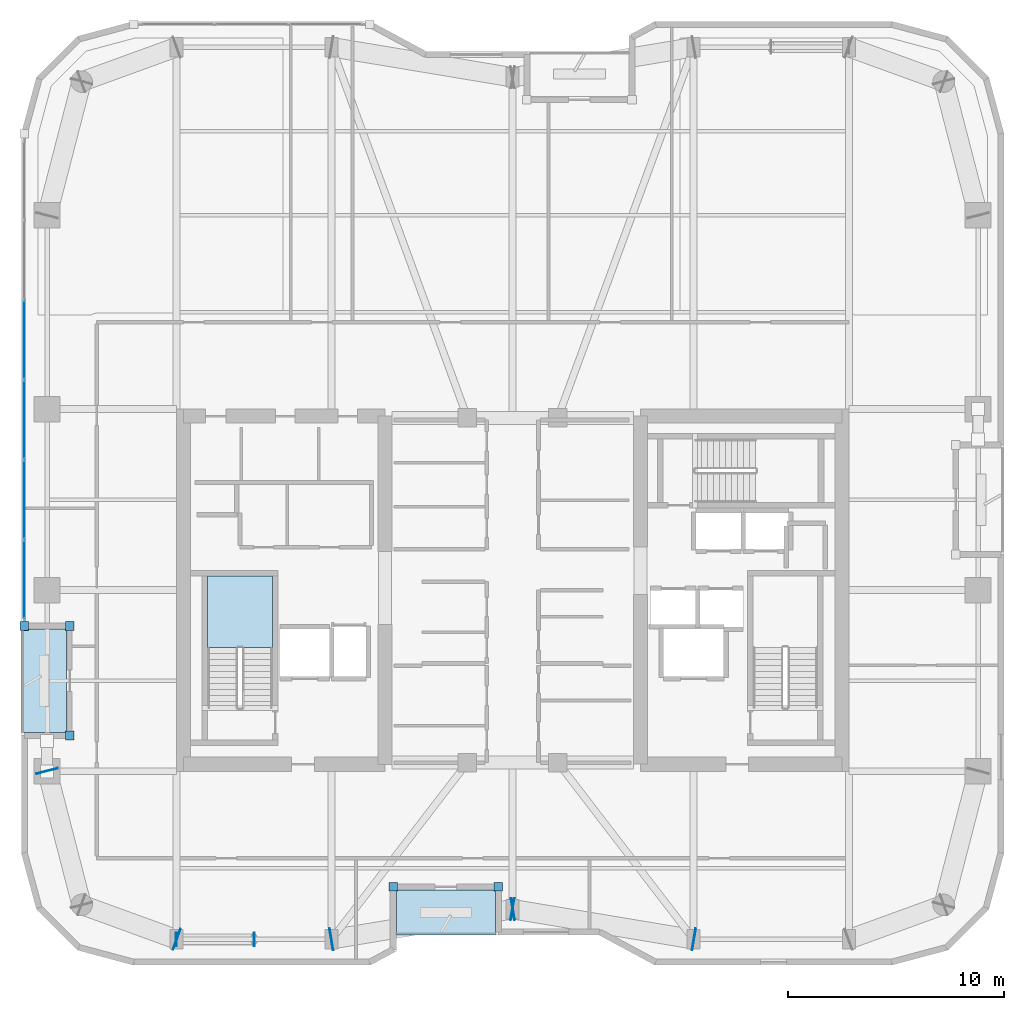
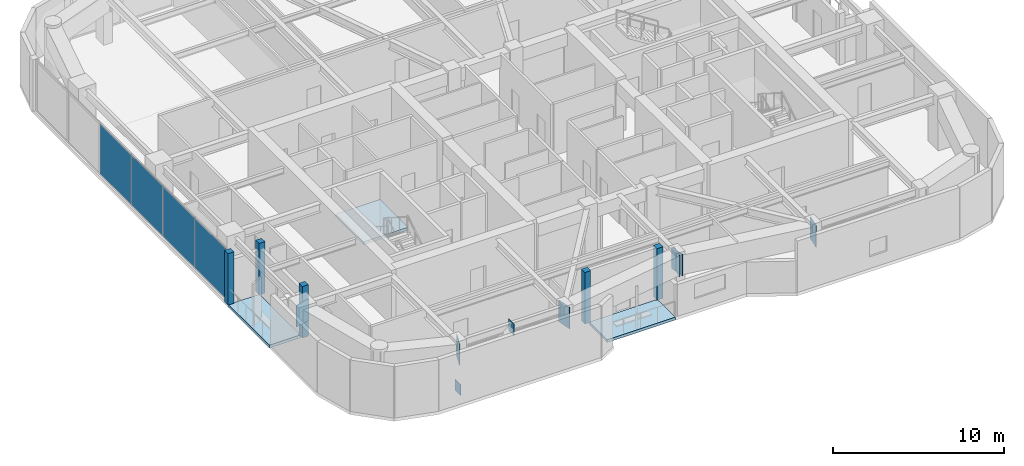
# One storey, part 12 of 21: 17 plates, 3 slabs, 2 elements without a shape of their own.
"""IFC4 building model written with IfcOpenShell, lengths in metres."""

from ifc_helpers import new_model, si_unit, direction, frame, origin, origin_2d, place, context, subcontext, project, spatial, polyline, rectangle, outline, extrude, material, layer, layer_set, type_object, element, aggregate, save


model = new_model("IFC4")

# Units and contexts
model_context = context("Model", 3, precision=1e-05, world=origin(), true_north=direction((0.0, 1.0)))
body_context = subcontext(model_context, "Body", "Model", "MODEL_VIEW")
ifc_project = project(units=[si_unit("LENGTHUNIT", "METRE"), si_unit("AREAUNIT", "SQUARE_METRE"), si_unit("VOLUMEUNIT", "CUBIC_METRE"), si_unit("PLANEANGLEUNIT", "RADIAN"), si_unit("MASSUNIT", "GRAM", prefix="KILO")], contexts=[model_context])

# Site, building, storey
site_placement = place(None, origin())
site = spatial("IfcSite", under=ifc_project, at=site_placement, CompositionType="ELEMENT")
building_placement = place(site_placement, origin())
building = spatial("IfcBuilding", under=site, at=building_placement, Name="Kiyonajd Concourse Tower", CompositionType="ELEMENT")
storey_placement = place(building_placement, frame((0.0, 0.0, 227.10009765625)))
storey = spatial("IfcBuildingStorey", under=building, at=storey_placement, Name="L57", CompositionType="ELEMENT", Elevation=227.10009765625)

# Plates
ifc_material_1 = material(Name="Steel ASTM A572 Grade 50", Category="steel")
ifc_layer_1 = layer(ifc_material_1, 0.028076171875)
ifc_layer_set_1 = layer_set([ifc_layer_1], Name="Steel ASTM A572 Grade 50")
plate_type_1 = type_object("IfcPlateType", Name="PL-CAP-450", PredefinedType="USERDEFINED", material=ifc_layer_set_1)
for number, where, z_axis, x_axis, name in (
    (1, (32.3916015625, 19.800048828125, -0.109375), (0.0, 0.0, 1.0), (-1.0, 0.0, 0.0), "L57 Hollow Brace End Cap Plate PBS"),
    (2, (36.00830078125, 19.800048828125, 2.93505859375), (0.0, 0.0, 1.0), (1.0, 0.0, 0.0), "L57 Hollow Brace Top Cap Plate PBS"),
):
    element("IfcPlate", number, at=place(storey_placement, frame(where, z_axis=z_axis, x_axis=x_axis)), inside=storey, type_object=plate_type_1, Name=name, ObjectType="CAP PLATE", PredefinedType="USERDEFINED", context=body_context, shape_type="SweptSolid", body=[
        extrude(rectangle(XDim=0.035888671875, YDim=0.6279296875, at=origin_2d()), origin(), (0.0, 0.0, 1.0), 0.803955078125),
    ])
ifc_layer_2 = layer(ifc_material_1, 0.031982421875)
ifc_layer_set_2 = layer_set([ifc_layer_2], Name="Steel ASTM A572 Grade 50")
plate_type_2 = type_object("IfcPlateType", Name="PL-CAP-540", PredefinedType="USERDEFINED", material=ifc_layer_set_2)
for number, where, z_axis, x_axis, name in (
    (3, (26.397216796875, 27.610595703125, 2.2099609375), (0.0, 0.0, 1.0), (-0.249873048837, 0.968278606324, 0.0), "L57 Welded Box Girder End Cap"),
    (4, (32.410400390625, 19.796142578125, 2.2099609375), (0.0, 0.0, 1.0), (0.939811951086, -0.341692107891, 0.0), "L57 Welded Box Girder End Cap"),
    (5, (39.589111328125, 19.798095703125, 2.2099609375), (0.0, 0.0, 1.0), (-0.986400586142, -0.164359008451, 0.0), "L57 Welded Box Girder End Cap"),
    (6, (48.010986328125, 21.201904296875, 2.2099609375), (0.0, 0.0, 1.0), (0.986400586142, 0.164359008451, 0.0), "L57 Welded Box Girder End Cap"),
    (7, (47.989013671875, 21.201904296875, 2.2099609375), (0.0, 0.0, 1.0), (-0.986400586142, 0.164359008451, 0.0), "L57 Welded Box Girder End Cap"),
    (8, (56.410888671875, 19.798095703125, 2.2099609375), (0.0, 0.0, 1.0), (0.986400586142, -0.164359008451, 0.0), "L57 Welded Box Girder End Cap"),
):
    element("IfcPlate", number, at=place(storey_placement, frame(where, z_axis=z_axis, x_axis=x_axis)), inside=storey, type_object=plate_type_2, Name=name, ObjectType="CAP PLATE", PredefinedType="USERDEFINED", context=body_context, shape_type="SweptSolid", body=[
        extrude(rectangle(XDim=0.035888671875, YDim=1.02001953125, at=origin_2d()), origin(), (0.0, 0.0, 1.0), 1.5400390625),
    ])

# Curtain wall, plates
ifc_material_2 = material(Name="Thermally Broken Anodised Aluminium", Category="aluminium")
ifc_layer_3 = layer(ifc_material_2, 0.179931640625)
ifc_layer_set_3 = layer_set([ifc_layer_3], Name="Thermally Broken Anodised Aluminium")
curtain_wall_type = type_object("IfcCurtainWallType", Name="CW-SYS-04", PredefinedType="NOTDEFINED", material=ifc_layer_set_3)
curtain_wall_placement = place(storey_placement, origin())
curtain_wall = element("IfcCurtainWall", 9, at=curtain_wall_placement, inside=storey, type_object=curtain_wall_type, Name="L57 Unitised Curtain Wall CW4", PredefinedType="NOTDEFINED")
ifc_material_3 = material(Name="Double Low-E Insulated Glass", Category="glass")
ifc_layer_4 = layer(ifc_material_3, 0.033935546875)
ifc_layer_set_4 = layer_set([ifc_layer_4], Name="Double Low-E Insulated Glass")
plate_type_3 = type_object("IfcPlateType", Name="PL-CW-VIS34", PredefinedType="CURTAIN_PANEL", material=ifc_layer_set_4)
plate_1_placement = place(storey_placement, frame((25.340087890625, 36.50146484375, 0.06494140625), z_axis=(0.0, 0.0, 1.0), x_axis=(0.0, 1.0, 0.0)))
plate_1 = element("IfcPlate", 10, at=plate_1_placement, type_object=plate_type_3, Name="CW4 panel 1.1", PredefinedType="CURTAIN_PANEL", context=body_context, shape_type="SweptSolid", body=[
    extrude(rectangle(XDim=3.61279296875, YDim=0.033935546875, at=origin_2d()), origin(), (0.0, 0.0, 1.0), 3.550048828125),
])
plate_2_placement = place(storey_placement, frame((25.340087890625, 40.1953125, 0.06494140625), z_axis=(0.0, 0.0, 1.0), x_axis=(0.0, 1.0, 0.0)))
plate_2 = element("IfcPlate", 11, at=plate_2_placement, type_object=plate_type_3, Name="CW4 panel 2.1", PredefinedType="CURTAIN_PANEL", context=body_context, shape_type="SweptSolid", body=[
    extrude(rectangle(XDim=3.645263671875, YDim=0.033935546875, at=origin_2d()), origin(), (0.0, 0.0, 1.0), 3.550048828125),
])
plate_3_placement = place(storey_placement, frame((25.340087890625, 43.90576171875, 0.06494140625), z_axis=(0.0, 0.0, 1.0), x_axis=(0.0, 1.0, 0.0)))
plate_3 = element("IfcPlate", 12, at=plate_3_placement, type_object=plate_type_3, Name="CW4 panel 3.1", PredefinedType="CURTAIN_PANEL", context=body_context, shape_type="SweptSolid", body=[
    extrude(rectangle(XDim=3.645263671875, YDim=0.033935546875, at=origin_2d()), origin(), (0.0, 0.0, 1.0), 3.550048828125),
])
plate_4_placement = place(storey_placement, frame((25.340087890625, 47.615966796875, 0.06494140625), z_axis=(0.0, 0.0, 1.0), x_axis=(0.0, 1.0, 0.0)))
plate_4 = element("IfcPlate", 13, at=plate_4_placement, type_object=plate_type_3, Name="CW4 panel 4.1", PredefinedType="CURTAIN_PANEL", context=body_context, shape_type="SweptSolid", body=[
    extrude(rectangle(XDim=3.645263671875, YDim=0.033935546875, at=origin_2d()), origin(), (0.0, 0.0, 1.0), 3.550048828125),
])
aggregate(curtain_wall, [plate_1, plate_2, plate_3, plate_4])

# Plates
ifc_layer_5 = layer(ifc_material_2, 0.39990234375)
ifc_layer_set_5 = layer_set([ifc_layer_5], Name="Thermally Broken Anodised Aluminium")
plate_type_4 = type_object("IfcPlateType", Name="PL-JMB-400", PredefinedType="USERDEFINED", material=ifc_layer_set_5)
for number, where, z_axis, x_axis, name in (
    (14, (27.43994140625, 29.260009765625, 0.0), (0.0, 0.0, 1.0), (1.0, 0.0, 0.0), "L57 Facade Jamb Closure Plate 01"),
    (15, (27.43994140625, 34.340087890625, 0.0), (0.0, 0.0, 1.0), (1.0, 0.0, 0.0), "L57 Facade Jamb Closure Plate 02"),
    (16, (25.340087890625, 34.340087890625, 0.0), (0.0, 0.0, 1.0), (1.0, 0.0, 0.0), "L57 Facade Jamb Closure Plate 03"),
    (17, (47.340087890625, 22.239990234375, 0.0), (0.0, 0.0, 1.0), (1.0, 0.0, 0.0), "L57 Facade Jamb Closure Plate 11"),
    (18, (42.4599609375, 22.239990234375, 0.0), (0.0, 0.0, 1.0), (1.0, 0.0, 0.0), "L57 Facade Jamb Closure Plate 12"),
):
    element("IfcPlate", number, at=place(storey_placement, frame(where, z_axis=z_axis, x_axis=x_axis)), inside=storey, type_object=plate_type_4, Name=name, ObjectType="JAMB PLATE", PredefinedType="USERDEFINED", context=body_context, shape_type="SweptSolid", body=[
        extrude(rectangle(XDim=0.39990234375, YDim=0.39990234375, at=origin_2d()), origin(), (0.0, 0.0, 1.0), 3.679931640625),
    ])

# Stair, slab
ifc_material_4 = material(Name="Concrete C40/50", Category="concrete")
stair_type = type_object("IfcStairType", Name="ST-DLG-22R", PredefinedType="HALF_TURN_STAIR", material=ifc_material_4)
stair_placement = place(storey_placement, origin())
stair = element("IfcStair", 19, at=stair_placement, inside=storey, type_object=stair_type, Name="L57 Protected Exit Stair ST1", PredefinedType="HALF_TURN_STAIR")
ifc_layer_6 = layer(ifc_material_4, 0.199951171875)
ifc_layer_set_6 = layer_set([ifc_layer_6], Name="Concrete C40/50")
slab_type_1 = type_object("IfcSlabType", Name="SL-LND-200", PredefinedType="LANDING", material=ifc_layer_set_6)
slab_1_placement = place(storey_placement, frame((0.0, 0.0, 1.75)))
slab_1 = element("IfcSlab", 20, at=slab_1_placement, type_object=slab_type_1, Name="ST1 landing 1", PredefinedType="LANDING", context=body_context, shape_type="SweptSolid", body=[
    extrude(outline(polyline([(36.85009765625, 33.35009765625), (36.85009765625, 36.64990234375), (33.85009765625, 36.64990234375), (33.85009765625, 33.35009765625), (36.85009765625, 33.35009765625)])), origin(), (0.0, 0.0, 1.0), 0.199951171875),
])
aggregate(stair, [slab_1])

# Slabs
ifc_material_5 = material(Name="Precast concrete C50/60", Category="concrete")
ifc_layer_7 = layer(ifc_material_5, 0.199951171875)
ifc_layer_set_7 = layer_set([ifc_layer_7], Name="Precast concrete C50/60")
slab_type_2 = type_object("IfcSlabType", Name="SL-LOG-200", PredefinedType="FLOOR", material=ifc_layer_set_7)
slab_2_placement = place(storey_placement, frame((0.0, 0.0, -0.2001953125)))
element("IfcSlab", 21, at=slab_2_placement, inside=storey, type_object=slab_type_2, Name="L57 Recessed Engawa Loggia Terrace Slab LOG-S", PredefinedType="FLOOR", context=body_context, shape_type="SweptSolid", body=[
    extrude(outline(polyline([(42.60009765625, 20.0), (47.199951171875, 20.0), (47.199951171875, 22.10009765625), (42.60009765625, 22.10009765625), (42.60009765625, 20.0)])), origin(), (0.0, 0.0, 1.0), 0.2001953125),
])
slab_3_placement = place(storey_placement, frame((0.0, 0.0, -0.2001953125)))
element("IfcSlab", 22, at=slab_3_placement, inside=storey, type_object=slab_type_2, Name="L57 Recessed Engawa Loggia Terrace Slab LOG-W", PredefinedType="FLOOR", context=body_context, shape_type="SweptSolid", body=[
    extrude(outline(polyline([(25.199951171875, 29.39990234375), (27.300048828125, 29.39990234375), (27.300048828125, 34.199951171875), (25.199951171875, 34.199951171875), (25.199951171875, 29.39990234375)])), origin(), (0.0, 0.0, 1.0), 0.2001953125),
])

save(model, "model.ifc")
